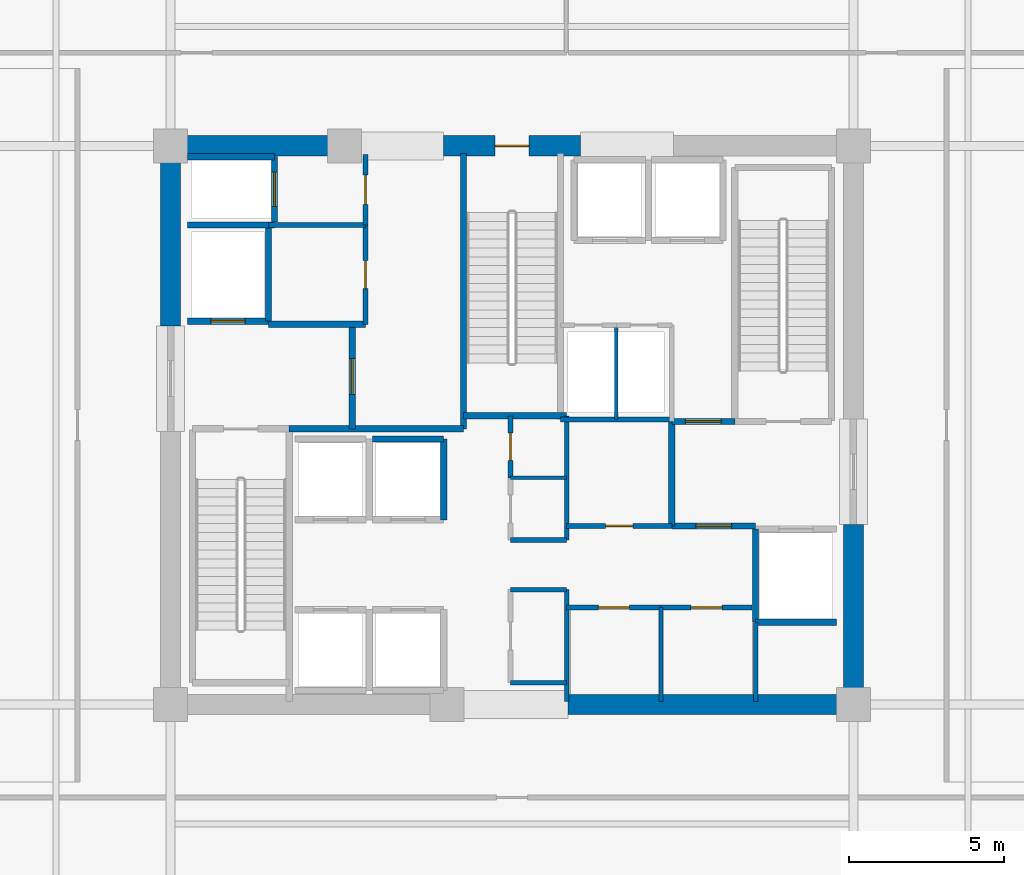
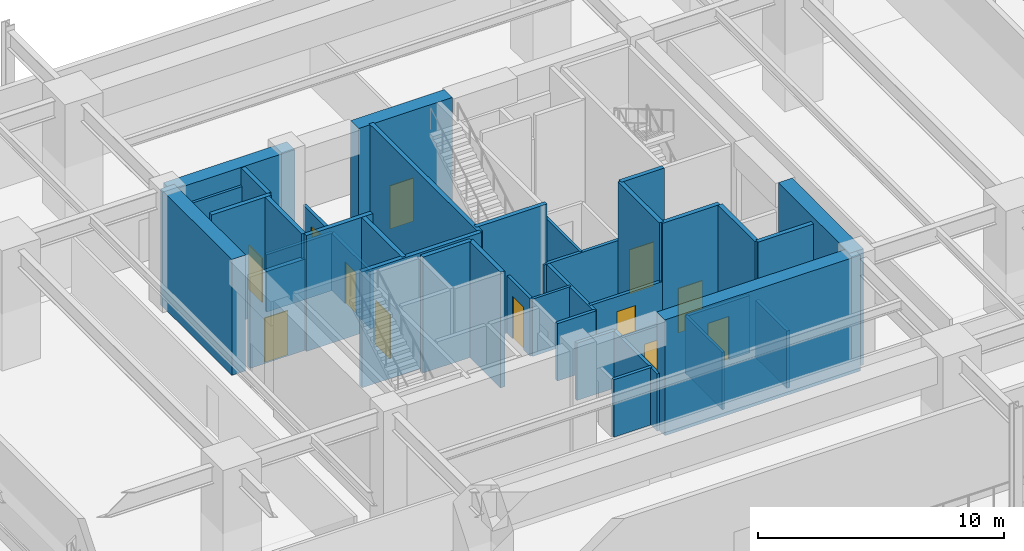
# One storey, part 7 of 14: 39 walls, 12 doors, 12 openings.
"""IFC4 building model written with IfcOpenShell, lengths in metres."""

from ifc_helpers import new_model, si_unit, direction, frame, frame_2d, origin, place, context, subcontext, project, spatial, rectangle, extrude, material, layer, layer_set, type_object, element, fill, save


model = new_model("IFC4")

# Units and contexts
model_context = context("Model", 3, precision=1e-05, world=origin(), true_north=direction((0.0, 1.0)))
body_context = subcontext(model_context, "Body", "Model", "MODEL_VIEW")
ifc_project = project(units=[si_unit("LENGTHUNIT", "METRE"), si_unit("AREAUNIT", "SQUARE_METRE"), si_unit("VOLUMEUNIT", "CUBIC_METRE"), si_unit("PLANEANGLEUNIT", "RADIAN"), si_unit("MASSUNIT", "GRAM", prefix="KILO")], contexts=[model_context])

# Site, building, storey
site_placement = place(None, origin())
site = spatial("IfcSite", under=ifc_project, at=site_placement, CompositionType="ELEMENT")
building_placement = place(site_placement, origin())
building = spatial("IfcBuilding", under=site, at=building_placement, Name="Kovane Verandah Tower", CompositionType="ELEMENT")
storey_placement = place(building_placement, frame((0.0, 0.0, 21.60009765625)))
storey = spatial("IfcBuildingStorey", under=building, at=storey_placement, Name="L04", CompositionType="ELEMENT", Elevation=21.60009765625)

# Walls
ifc_material_1 = material(Name="Fire-Rated Gypsum Stud Partition", Category="gypsum")
ifc_layer_1 = layer(ifc_material_1, 0.14990234375)
ifc_layer_set_1 = layer_set([ifc_layer_1], Name="Fire-Rated Gypsum Stud Partition")
wall_type_1 = type_object("IfcWallType", Name="WL-COR-150", PredefinedType="PARTITIONING", material=ifc_layer_set_1)
for number, where, z_axis, x_axis, name in (
    (1, (39.949951171875, 19.199951171875, 0.0), (0.0, 0.0, 1.0), (1.0, 0.0, 0.0), "L04 Central Core Strip South Wall"),
    (2, (39.949951171875, 22.199951171875, 0.0), (0.0, 0.0, 1.0), (1.0, 0.0, 0.0), "L04 Core Cross-Passage South Wall"),
    (3, (39.949951171875, 23.800048828125, 0.0), (0.0, 0.0, 1.0), (1.0, 0.0, 0.0), "L04 Core Cross-Passage North Wall"),
):
    element("IfcWall", number, at=place(storey_placement, frame(where, z_axis=z_axis, x_axis=x_axis)), inside=storey, type_object=wall_type_1, Name=name, PredefinedType="PARTITIONING", context=body_context, shape_type="SweptSolid", body=[
        extrude(rectangle(XDim=1.81005859375, YDim=0.14990234375, at=frame_2d((0.905029296875, 0.0))), origin(), (0.0, 0.0, 1.0), 2.849853515625),
    ])
wall_1_placement = place(storey_placement, frame((41.760009765625, 18.60009765625, 0.0), z_axis=(0.0, 0.0, 1.0), x_axis=(0.0, 1.0, 0.0)))
element("IfcWall", 4, at=wall_1_placement, inside=storey, type_object=wall_type_1, Name="L04 Central Core Strip Lower East Wall", PredefinedType="PARTITIONING", context=body_context, shape_type="SweptSolid", body=[
    extrude(rectangle(XDim=3.599853515625, YDim=0.14990234375, at=frame_2d((1.7998046875, 0.0))), origin(), (0.0, 0.0, 1.0), 2.849853515625),
])
wall_2_placement = place(storey_placement, frame((41.760009765625, 23.800048828125, 0.0), z_axis=(0.0, 0.0, 1.0), x_axis=(0.0, 1.0, 0.0)))
element("IfcWall", 5, at=wall_2_placement, inside=storey, type_object=wall_type_1, Name="L04 Central Core Strip Upper East Wall", PredefinedType="PARTITIONING", context=body_context, shape_type="SweptSolid", body=[
    extrude(rectangle(XDim=4.0, YDim=0.14990234375, at=frame_2d((2.0, 0.0))), origin(), (0.0, 0.0, 1.0), 2.849853515625),
])

# Wall, opening, door
wall_3_placement = place(storey_placement, frame((39.949951171875, 25.800048828125, 0.0), z_axis=(0.0, 0.0, 1.0), x_axis=(0.0, 1.0, 0.0)))
wall_3 = element("IfcWall", 6, at=wall_3_placement, inside=storey, type_object=wall_type_1, Name="L04 Electrical Riser Room Partition", PredefinedType="PARTITIONING", context=body_context, shape_type="SweptSolid", body=[
    extrude(rectangle(XDim=2.0, YDim=0.14990234375, at=frame_2d((1.0, 0.0))), origin(), (0.0, 0.0, 1.0), 2.849853515625),
])
opening_1_placement = place(wall_3_placement, frame((0.56005859375, 0.0, 0.0)))
opening_1 = element("IfcOpeningElement", 7, at=opening_1_placement, cuts=wall_3, Name="Opening DR-L04-024", PredefinedType="OPENING", context=body_context, shape_type="SweptSolid", body=[
    extrude(rectangle(XDim=0.8798828125, YDim=2.10009765625, at=frame_2d((0.43994140625, 1.050048828125))), frame((0.0, 0.074951171875, 0.0), z_axis=(0.0, -1.0, 0.0), x_axis=(1.0, 0.0, 0.0)), (0.0, 0.0, 1.0), 0.14990234375),
])
ifc_material_2 = material(Name="Fire-Rated Steel Riser Access Door", Category="steel")
door_type_1 = type_object("IfcDoorType", Name="DR-RISER-880", OperationType="SINGLE_SWING_LEFT", PredefinedType="DOOR", material=ifc_material_2)
door_1_placement = place(opening_1_placement, origin())
door_1 = element("IfcDoor", 8, at=door_1_placement, inside=storey, type_object=door_type_1, Name="L04 Electrical Riser Room Door", OperationType="SINGLE_SWING_LEFT", OverallHeight=2.10009765625, OverallWidth=0.8798828125, PredefinedType="DOOR", context=body_context, shape_type="SweptSolid", body=[
    extrude(rectangle(XDim=0.8798828125, YDim=2.10009765625, at=frame_2d((0.43994140625, 1.050048828125))), frame((0.0, 0.02490234375, 0.0), z_axis=(0.0, -1.0, 0.0), x_axis=(1.0, 0.0, 0.0)), (0.0, 0.0, 1.0), 0.050048828125),
])
fill(opening_1, door_1)

# Wall
wall_4_placement = place(storey_placement, frame((32.14990234375, 33.949951171875, 0.0), z_axis=(0.0, 0.0, 1.0), x_axis=(1.0, 0.0, 0.0)))
element("IfcWall", 9, at=wall_4_placement, inside=storey, type_object=wall_type_1, Name="L04 Goods Lift Lobby South Wall", PredefinedType="PARTITIONING", context=body_context, shape_type="SweptSolid", body=[
    extrude(rectangle(XDim=3.130126953125, YDim=0.14990234375, at=frame_2d((1.56494140625, 0.0))), origin(), (0.0, 0.0, 1.0), 2.849853515625),
])

# Wall, opening, door
wall_5_placement = place(storey_placement, frame((35.280029296875, 33.949951171875, 0.0), z_axis=(0.0, 0.0, 1.0), x_axis=(0.0, 1.0, 0.0)))
wall_5 = element("IfcWall", 10, at=wall_5_placement, inside=storey, type_object=wall_type_1, Name="L04 Goods Lift Lobby East Fire Partition", PredefinedType="PARTITIONING", context=body_context, shape_type="SweptSolid", body=[
    extrude(rectangle(XDim=2.27001953125, YDim=0.14990234375, at=frame_2d((1.135009765625, 0.0))), origin(), (0.0, 0.0, 1.0), 2.849853515625),
])
opening_2_placement = place(wall_5_placement, frame((0.659912109375, 0.0, 0.0)))
opening_2 = element("IfcOpeningElement", 11, at=opening_2_placement, cuts=wall_5, Name="Opening DR-L04-010", PredefinedType="OPENING", context=body_context, shape_type="SweptSolid", body=[
    extrude(rectangle(XDim=0.949951171875, YDim=2.14990234375, at=frame_2d((0.47509765625, 1.074951171875))), frame((0.0, 0.074951171875, 0.0), z_axis=(0.0, -1.0, 0.0), x_axis=(1.0, 0.0, 0.0)), (0.0, 0.0, 1.0), 0.14990234375),
])
ifc_material_3 = material(Name="Fire-Rated Steel Refuge and Lobby Door", Category="steel")
door_type_2 = type_object("IfcDoorType", Name="DR-FIRE-950", OperationType="SINGLE_SWING_LEFT", PredefinedType="DOOR", material=ifc_material_3)
door_2_placement = place(opening_2_placement, origin())
door_2 = element("IfcDoor", 12, at=door_2_placement, inside=storey, type_object=door_type_2, Name="L04 Goods Lift Lobby Fire Door", OperationType="SINGLE_SWING_RIGHT", OverallHeight=2.14990234375, OverallWidth=0.949951171875, PredefinedType="DOOR", context=body_context, shape_type="SweptSolid", body=[
    extrude(rectangle(XDim=0.949951171875, YDim=2.14990234375, at=frame_2d((0.47509765625, 1.074951171875))), frame((0.0, 0.02490234375, 0.0), z_axis=(0.0, -1.0, 0.0), x_axis=(1.0, 0.0, 0.0)), (0.0, 0.0, 1.0), 0.050048828125),
])
fill(opening_2, door_2)

wall_6_placement = place(storey_placement, frame((35.280029296875, 30.75, 0.0), z_axis=(0.0, 0.0, 1.0), x_axis=(0.0, 1.0, 0.0)))
wall_6 = element("IfcWall", 13, at=wall_6_placement, inside=storey, type_object=wall_type_1, Name="L04 Accessible Unisex Toilet Partition", PredefinedType="PARTITIONING", context=body_context, shape_type="SweptSolid", body=[
    extrude(rectangle(XDim=3.199951171875, YDim=0.14990234375, at=frame_2d((1.60009765625, 0.0))), origin(), (0.0, 0.0, 1.0), 2.849853515625),
])
opening_3_placement = place(wall_6_placement, frame((1.14990234375, 0.0, 0.0)))
opening_3 = element("IfcOpeningElement", 14, at=opening_3_placement, cuts=wall_6, Name="Opening DR-L04-025", PredefinedType="OPENING", context=body_context, shape_type="SweptSolid", body=[
    extrude(rectangle(XDim=0.89990234375, YDim=2.10009765625, at=frame_2d((0.449951171875, 1.050048828125))), frame((0.0, 0.074951171875, 0.0), z_axis=(0.0, -1.0, 0.0), x_axis=(1.0, 0.0, 0.0)), (0.0, 0.0, 1.0), 0.14990234375),
])
ifc_material_4 = material(Name="Moisture-Resistant Laminate Washroom Door", Category="wood")
door_type_3 = type_object("IfcDoorType", Name="DR-WC-900", OperationType="SINGLE_SWING_LEFT", PredefinedType="DOOR", material=ifc_material_4)
door_3_placement = place(opening_3_placement, origin())
door_3 = element("IfcDoor", 15, at=door_3_placement, inside=storey, type_object=door_type_3, Name="L04 Accessible Unisex Toilet Door", OperationType="SINGLE_SWING_LEFT", OverallHeight=2.10009765625, OverallWidth=0.89990234375, PredefinedType="DOOR", context=body_context, shape_type="SweptSolid", body=[
    extrude(rectangle(XDim=0.89990234375, YDim=2.10009765625, at=frame_2d((0.449951171875, 1.050048828125))), frame((0.0, 0.02490234375, 0.0), z_axis=(0.0, -1.0, 0.0), x_axis=(1.0, 0.0, 0.0)), (0.0, 0.0, 1.0), 0.050048828125),
])
fill(opening_3, door_3)

# Walls
wall_7_placement = place(storey_placement, frame((41.56005859375, 27.679931640625, 0.0), z_axis=(0.0, 0.0, 1.0), x_axis=(1.0, 0.0, 0.0)))
element("IfcWall", 16, at=wall_7_placement, inside=storey, type_object=wall_type_1, Name="L04 East Core Service Riser South Wall", PredefinedType="PARTITIONING", context=body_context, shape_type="SweptSolid", body=[
    extrude(rectangle(XDim=3.58984375, YDim=0.14990234375, at=frame_2d((1.794921875, 0.0))), origin(), (0.0, 0.0, 1.0), 2.849853515625),
])
wall_8_placement = place(storey_placement, frame((47.85009765625, 18.60009765625, 0.0), z_axis=(0.0, 0.0, 1.0), x_axis=(0.0, 1.0, 0.0)))
element("IfcWall", 17, at=wall_8_placement, inside=storey, type_object=wall_type_1, Name="L04 East Core Support East Wall", PredefinedType="PARTITIONING", context=body_context, shape_type="SweptSolid", body=[
    extrude(rectangle(XDim=2.539794921875, YDim=0.14990234375, at=frame_2d((1.27001953125, 0.0))), origin(), (0.0, 0.0, 1.0), 2.849853515625),
])

# Wall, opening, door
wall_9_placement = place(storey_placement, frame((41.760009765625, 21.6201171875, 0.0), z_axis=(0.0, 0.0, 1.0), x_axis=(1.0, 0.0, 0.0)))
wall_9 = element("IfcWall", 18, at=wall_9_placement, inside=storey, type_object=wall_type_1, Name="L04 AV Control Room Partition", PredefinedType="PARTITIONING", context=body_context, shape_type="SweptSolid", body=[
    extrude(rectangle(XDim=3.0400390625, YDim=0.14990234375, at=frame_2d((1.52001953125, 0.0))), origin(), (0.0, 0.0, 1.0), 2.849853515625),
])
opening_4_placement = place(wall_9_placement, frame((1.02001953125, 0.0, 0.0)))
opening_4 = element("IfcOpeningElement", 19, at=opening_4_placement, cuts=wall_9, Name="Opening DR-L04-017", PredefinedType="OPENING", context=body_context, shape_type="SweptSolid", body=[
    extrude(rectangle(XDim=1.0, YDim=2.14990234375, at=frame_2d((0.5, 1.074951171875))), frame((0.0, 0.074951171875, 0.0), z_axis=(0.0, -1.0, 0.0), x_axis=(1.0, 0.0, 0.0)), (0.0, 0.0, 1.0), 0.14990234375),
])
ifc_material_5 = material(Name="FSC Spotted-Gum Timber Fire-Rated Office Door", Category="wood")
door_type_4 = type_object("IfcDoorType", Name="DR-OFF-1000", OperationType="SINGLE_SWING_LEFT", PredefinedType="DOOR", material=ifc_material_5)
door_4_placement = place(opening_4_placement, origin())
door_4 = element("IfcDoor", 20, at=door_4_placement, inside=storey, type_object=door_type_4, Name="L04 AV Control Room Door", OperationType="SINGLE_SWING_RIGHT", OverallHeight=2.14990234375, OverallWidth=1.0, PredefinedType="DOOR", context=body_context, shape_type="SweptSolid", body=[
    extrude(rectangle(XDim=1.0, YDim=2.14990234375, at=frame_2d((0.5, 1.074951171875))), frame((0.0, 0.02490234375, 0.0), z_axis=(0.0, -1.0, 0.0), x_axis=(1.0, 0.0, 0.0)), (0.0, 0.0, 1.0), 0.050048828125),
])
fill(opening_4, door_4)

wall_10_placement = place(storey_placement, frame((44.800048828125, 21.6201171875, 0.0), z_axis=(0.0, 0.0, 1.0), x_axis=(1.0, 0.0, 0.0)))
wall_10 = element("IfcWall", 21, at=wall_10_placement, inside=storey, type_object=wall_type_1, Name="L04 East IT Server Room Partition", PredefinedType="PARTITIONING", context=body_context, shape_type="SweptSolid", body=[
    extrude(rectangle(XDim=2.93994140625, YDim=0.14990234375, at=frame_2d((1.469970703125, 0.0))), origin(), (0.0, 0.0, 1.0), 2.849853515625),
])
opening_5_placement = place(wall_10_placement, frame((0.969970703125, 0.0, 0.0)))
opening_5 = element("IfcOpeningElement", 22, at=opening_5_placement, cuts=wall_10, Name="Opening DR-L04-018", PredefinedType="OPENING", context=body_context, shape_type="SweptSolid", body=[
    extrude(rectangle(XDim=1.0, YDim=2.14990234375, at=frame_2d((0.5, 1.074951171875))), frame((0.0, 0.074951171875, 0.0), z_axis=(0.0, -1.0, 0.0), x_axis=(1.0, 0.0, 0.0)), (0.0, 0.0, 1.0), 0.14990234375),
])
door_5_placement = place(opening_5_placement, origin())
door_5 = element("IfcDoor", 23, at=door_5_placement, inside=storey, type_object=door_type_4, Name="L04 East IT Server Room Door", OperationType="SINGLE_SWING_LEFT", OverallHeight=2.14990234375, OverallWidth=1.0, PredefinedType="DOOR", context=body_context, shape_type="SweptSolid", body=[
    extrude(rectangle(XDim=1.0, YDim=2.14990234375, at=frame_2d((0.5, 1.074951171875))), frame((0.0, 0.02490234375, 0.0), z_axis=(0.0, -1.0, 0.0), x_axis=(1.0, 0.0, 0.0)), (0.0, 0.0, 1.0), 0.050048828125),
])
fill(opening_5, door_5)

wall_11_placement = place(storey_placement, frame((41.760009765625, 24.25, 0.0), z_axis=(0.0, 0.0, 1.0), x_axis=(1.0, 0.0, 0.0)))
wall_11 = element("IfcWall", 24, at=wall_11_placement, inside=storey, type_object=wall_type_1, Name="L04 Cleaner Store Partition", PredefinedType="PARTITIONING", context=body_context, shape_type="SweptSolid", body=[
    extrude(rectangle(XDim=3.389892578125, YDim=0.14990234375, at=frame_2d((1.69482421875, 0.0))), origin(), (0.0, 0.0, 1.0), 2.849853515625),
])
opening_6_placement = place(wall_11_placement, frame((1.2548828125, 0.0, 0.0)))
opening_6 = element("IfcOpeningElement", 25, at=opening_6_placement, cuts=wall_11, Name="Opening DR-L04-019", PredefinedType="OPENING", context=body_context, shape_type="SweptSolid", body=[
    extrude(rectangle(XDim=0.8798828125, YDim=2.10009765625, at=frame_2d((0.43994140625, 1.050048828125))), frame((0.0, 0.074951171875, 0.0), z_axis=(0.0, -1.0, 0.0), x_axis=(1.0, 0.0, 0.0)), (0.0, 0.0, 1.0), 0.14990234375),
])
door_6_placement = place(opening_6_placement, origin())
door_6 = element("IfcDoor", 26, at=door_6_placement, inside=storey, type_object=door_type_1, Name="L04 Cleaner Store Door", OperationType="SINGLE_SWING_RIGHT", OverallHeight=2.10009765625, OverallWidth=0.8798828125, PredefinedType="DOOR", context=body_context, shape_type="SweptSolid", body=[
    extrude(rectangle(XDim=0.8798828125, YDim=2.10009765625, at=frame_2d((0.43994140625, 1.050048828125))), frame((0.0, 0.02490234375, 0.0), z_axis=(0.0, -1.0, 0.0), x_axis=(1.0, 0.0, 0.0)), (0.0, 0.0, 1.0), 0.050048828125),
])
fill(opening_6, door_6)

# Walls
ifc_material_6 = material(Name="Concrete C80/95", Category="concrete")
ifc_layer_2 = layer(ifc_material_6, 0.64990234375)
ifc_layer_set_2 = layer_set([ifc_layer_2], Name="Concrete C80/95")
wall_type_2 = type_object("IfcWallType", Name="WL-CORE-650", PredefinedType="SHEAR", material=ifc_layer_set_2)
wall_12_placement = place(storey_placement, frame((41.800048828125, 18.5, 0.0), z_axis=(0.0, 0.0, 1.0), x_axis=(1.0, 0.0, 0.0)))
element("IfcWall", 27, at=wall_12_placement, inside=storey, type_object=wall_type_2, Name="L04 Core Shear Wall CS-2", PredefinedType="SHEAR", context=body_context, shape_type="SweptSolid", body=[
    extrude(rectangle(XDim=9.199951171875, YDim=0.64990234375, at=frame_2d((4.60009765625, 0.0))), origin(), (0.0, 0.0, 1.0), 5.760009765625),
])
wall_13_placement = place(storey_placement, frame((29.0, 36.5, 0.0), z_axis=(0.0, 0.0, 1.0), x_axis=(1.0, 0.0, 0.0)))
element("IfcWall", 28, at=wall_13_placement, inside=storey, type_object=wall_type_2, Name="L04 Core Shear Wall CN-1", PredefinedType="SHEAR", context=body_context, shape_type="SweptSolid", body=[
    extrude(rectangle(XDim=5.800048828125, YDim=0.64990234375, at=frame_2d((2.89990234375, 0.0))), origin(), (0.0, 0.0, 1.0), 5.760009765625),
])

# Wall, opening, door
wall_14_placement = place(storey_placement, frame((37.800048828125, 36.5, 0.0), z_axis=(0.0, 0.0, 1.0), x_axis=(1.0, 0.0, 0.0)))
wall_14 = element("IfcWall", 29, at=wall_14_placement, inside=storey, type_object=wall_type_2, Name="L04 Core Shear Wall CN-2", PredefinedType="SHEAR", context=body_context, shape_type="SweptSolid", body=[
    extrude(rectangle(XDim=4.39990234375, YDim=0.64990234375, at=frame_2d((2.199951171875, 0.0))), origin(), (0.0, 0.0, 1.0), 5.760009765625),
])
opening_7_placement = place(wall_14_placement, frame((1.64990234375, 0.0, 0.0)))
opening_7 = element("IfcOpeningElement", 30, at=opening_7_placement, cuts=wall_14, Name="Opening DR-L04-013", PredefinedType="OPENING", context=body_context, shape_type="SweptSolid", body=[
    extrude(rectangle(XDim=1.10009765625, YDim=2.14990234375, at=frame_2d((0.550048828125, 1.074951171875))), frame((0.0, 0.324951171875, 0.0), z_axis=(0.0, -1.0, 0.0), x_axis=(1.0, 0.0, 0.0)), (0.0, 0.0, 1.0), 0.64990234375),
])
ifc_material_7 = material(Name="Fire-Rated Steel Exit Door", Category="steel")
door_type_5 = type_object("IfcDoorType", Name="DR-STAIR-1100", OperationType="SINGLE_SWING_LEFT", PredefinedType="DOOR", material=ifc_material_7)
door_7_placement = place(opening_7_placement, origin())
door_7 = element("IfcDoor", 31, at=door_7_placement, inside=storey, type_object=door_type_5, Name="L04 ST-03 Fire Exit Stair Door", OperationType="SINGLE_SWING_RIGHT", OverallHeight=2.14990234375, OverallWidth=1.10009765625, PredefinedType="DOOR", context=body_context, shape_type="SweptSolid", body=[
    extrude(rectangle(XDim=1.10009765625, YDim=2.14990234375, at=frame_2d((0.550048828125, 1.074951171875))), frame((0.0, 0.02490234375, 0.0), z_axis=(0.0, -1.0, 0.0), x_axis=(1.0, 0.0, 0.0)), (0.0, 0.0, 1.0), 0.050048828125),
])
fill(opening_7, door_7)

# Walls
for number, where, z_axis, x_axis, name in (
    (32, (29.0, 30.699951171875, 0.0), (0.0, 0.0, 1.0), (0.0, 1.0, 0.0), "L04 Core Shear Wall CW-2"),
    (33, (51.0, 18.5, 0.0), (0.0, 0.0, 1.0), (0.0, 1.0, 0.0), "L04 Core Shear Wall CE-1"),
):
    element("IfcWall", number, at=place(storey_placement, frame(where, z_axis=z_axis, x_axis=x_axis)), inside=storey, type_object=wall_type_2, Name=name, PredefinedType="SHEAR", context=body_context, shape_type="SweptSolid", body=[
        extrude(rectangle(XDim=5.800048828125, YDim=0.64990234375, at=frame_2d((2.89990234375, 0.0))), origin(), (0.0, 0.0, 1.0), 5.760009765625),
    ])

# Wall, opening, door
ifc_material_8 = material(Name="Concrete C45/55 Fire Wall", Category="concrete")
ifc_layer_3 = layer(ifc_material_8, 0.199951171875)
ifc_layer_set_3 = layer_set([ifc_layer_3], Name="Concrete C45/55 Fire Wall")
wall_type_3 = type_object("IfcWallType", Name="WL-FFL-200", PredefinedType="PARTITIONING", material=ifc_layer_set_3)
wall_15_placement = place(storey_placement, frame((34.85009765625, 27.3798828125, 0.0), z_axis=(0.0, 0.0, 1.0), x_axis=(0.0, 1.0, 0.0)))
wall_15 = element("IfcWall", 34, at=wall_15_placement, inside=storey, type_object=wall_type_3, Name="W-L04-FFLW-E", PredefinedType="PARTITIONING", context=body_context, shape_type="SweptSolid", body=[
    extrude(rectangle(XDim=3.3701171875, YDim=0.199951171875, at=frame_2d((1.68505859375, 0.0))), origin(), (0.0, 0.0, 1.0), 5.760009765625),
])
opening_8_placement = place(wall_15_placement, frame((1.110107421875, 0.0, 0.0)))
opening_8 = element("IfcOpeningElement", 35, at=opening_8_placement, cuts=wall_15, Name="Opening DR-L04-004", PredefinedType="OPENING", context=body_context, shape_type="SweptSolid", body=[
    extrude(rectangle(XDim=1.14990234375, YDim=2.199951171875, at=frame_2d((0.574951171875, 1.10009765625))), frame((0.0, 0.10009765625, 0.0), z_axis=(0.0, -1.0, 0.0), x_axis=(1.0, 0.0, 0.0)), (0.0, 0.0, 1.0), 0.199951171875),
])
ifc_material_9 = material(Name="Smoke-Sealed Firefighting Lobby Door", Category="steel")
door_type_6 = type_object("IfcDoorType", Name="DR-FFL-1150", OperationType="SINGLE_SWING_LEFT", PredefinedType="DOOR", material=ifc_material_9)
door_8_placement = place(opening_8_placement, origin())
door_8 = element("IfcDoor", 36, at=door_8_placement, inside=storey, type_object=door_type_6, Name="L04 West Firefighting Lobby Inner Door", OperationType="SINGLE_SWING_LEFT", OverallHeight=2.199951171875, OverallWidth=1.14990234375, PredefinedType="DOOR", context=body_context, shape_type="SweptSolid", body=[
    extrude(rectangle(XDim=1.14990234375, YDim=2.199951171875, at=frame_2d((0.574951171875, 1.10009765625))), frame((0.0, 0.02490234375, 0.0), z_axis=(0.0, -1.0, 0.0), x_axis=(1.0, 0.0, 0.0)), (0.0, 0.0, 1.0), 0.050048828125),
])
fill(opening_8, door_8)

# Walls
wall_16_placement = place(storey_placement, frame((32.820068359375, 27.3798828125, 0.0), z_axis=(0.0, 0.0, 1.0), x_axis=(1.0, 0.0, 0.0)))
element("IfcWall", 37, at=wall_16_placement, inside=storey, type_object=wall_type_3, Name="L04 West Firefighting Lobby South Fire Wall", PredefinedType="PARTITIONING", context=body_context, shape_type="SweptSolid", body=[
    extrude(rectangle(XDim=5.619873046875, YDim=0.199951171875, at=frame_2d((2.81005859375, 0.0))), origin(), (0.0, 0.0, 1.0), 5.760009765625),
])
wall_17_placement = place(storey_placement, frame((32.14990234375, 30.75, 0.0), z_axis=(0.0, 0.0, 1.0), x_axis=(1.0, 0.0, 0.0)))
element("IfcWall", 38, at=wall_17_placement, inside=storey, type_object=wall_type_3, Name="L04 West Firefighting Lobby North Fire Wall", PredefinedType="PARTITIONING", context=body_context, shape_type="SweptSolid", body=[
    extrude(rectangle(XDim=3.130126953125, YDim=0.199951171875, at=frame_2d((1.56494140625, 0.0))), origin(), (0.0, 0.0, 1.0), 5.760009765625),
])
wall_18_placement = place(storey_placement, frame((45.14990234375, 24.25, 0.0), z_axis=(0.0, 0.0, 1.0), x_axis=(0.0, 1.0, 0.0)))
element("IfcWall", 39, at=wall_18_placement, inside=storey, type_object=wall_type_3, Name="L04 East Firefighting Lobby West Fire Wall", PredefinedType="PARTITIONING", context=body_context, shape_type="SweptSolid", body=[
    extrude(rectangle(XDim=3.3701171875, YDim=0.199951171875, at=frame_2d((1.68505859375, 0.0))), origin(), (0.0, 0.0, 1.0), 5.760009765625),
])

# Wall, opening, door
wall_19_placement = place(storey_placement, frame((45.14990234375, 24.25, 0.0), z_axis=(0.0, 0.0, 1.0), x_axis=(1.0, 0.0, 0.0)))
wall_19 = element("IfcWall", 40, at=wall_19_placement, inside=storey, type_object=wall_type_3, Name="W-L04-FFLE-S", PredefinedType="PARTITIONING", context=body_context, shape_type="SweptSolid", body=[
    extrude(rectangle(XDim=2.7001953125, YDim=0.199951171875, at=frame_2d((1.35009765625, 0.0))), origin(), (0.0, 0.0, 1.0), 5.760009765625),
])
opening_9_placement = place(wall_19_placement, frame((0.77490234375, 0.0, 0.0)))
opening_9 = element("IfcOpeningElement", 41, at=opening_9_placement, cuts=wall_19, Name="Opening DR-L04-001", PredefinedType="OPENING", context=body_context, shape_type="SweptSolid", body=[
    extrude(rectangle(XDim=1.14990234375, YDim=2.199951171875, at=frame_2d((0.574951171875, 1.10009765625))), frame((0.0, 0.10009765625, 0.0), z_axis=(0.0, -1.0, 0.0), x_axis=(1.0, 0.0, 0.0)), (0.0, 0.0, 1.0), 0.199951171875),
])
door_9_placement = place(opening_9_placement, origin())
door_9 = element("IfcDoor", 42, at=door_9_placement, inside=storey, type_object=door_type_6, Name="L04 East Firefighting Lobby Inner Door", OperationType="SINGLE_SWING_RIGHT", OverallHeight=2.199951171875, OverallWidth=1.14990234375, PredefinedType="DOOR", context=body_context, shape_type="SweptSolid", body=[
    extrude(rectangle(XDim=1.14990234375, YDim=2.199951171875, at=frame_2d((0.574951171875, 1.10009765625))), frame((0.0, 0.02490234375, 0.0), z_axis=(0.0, -1.0, 0.0), x_axis=(1.0, 0.0, 0.0)), (0.0, 0.0, 1.0), 0.050048828125),
])
fill(opening_9, door_9)

wall_20_placement = place(storey_placement, frame((45.14990234375, 27.6201171875, 0.0), z_axis=(0.0, 0.0, 1.0), x_axis=(1.0, 0.0, 0.0)))
wall_20 = element("IfcWall", 43, at=wall_20_placement, inside=storey, type_object=wall_type_3, Name="W-L04-FFLE-N", PredefinedType="PARTITIONING", context=body_context, shape_type="SweptSolid", body=[
    extrude(rectangle(XDim=2.030029296875, YDim=0.199951171875, at=frame_2d((1.01513671875, 0.0))), origin(), (0.0, 0.0, 1.0), 5.760009765625),
])
opening_10_placement = place(wall_20_placement, frame((0.43994140625, 0.0, 0.0)))
opening_10 = element("IfcOpeningElement", 44, at=opening_10_placement, cuts=wall_20, Name="Opening DR-L04-002", PredefinedType="OPENING", context=body_context, shape_type="SweptSolid", body=[
    extrude(rectangle(XDim=1.14990234375, YDim=2.199951171875, at=frame_2d((0.574951171875, 1.10009765625))), frame((0.0, 0.10009765625, 0.0), z_axis=(0.0, -1.0, 0.0), x_axis=(1.0, 0.0, 0.0)), (0.0, 0.0, 1.0), 0.199951171875),
])
door_10_placement = place(opening_10_placement, origin())
door_10 = element("IfcDoor", 45, at=door_10_placement, inside=storey, type_object=door_type_6, Name="L04 East Firefighting Lobby Shuttle Link Door", OperationType="SINGLE_SWING_LEFT", OverallHeight=2.199951171875, OverallWidth=1.14990234375, PredefinedType="DOOR", context=body_context, shape_type="SweptSolid", body=[
    extrude(rectangle(XDim=1.14990234375, YDim=2.199951171875, at=frame_2d((0.574951171875, 1.10009765625))), frame((0.0, 0.02490234375, 0.0), z_axis=(0.0, -1.0, 0.0), x_axis=(1.0, 0.0, 0.0)), (0.0, 0.0, 1.0), 0.050048828125),
])
fill(opening_10, door_10)

ifc_material_10 = material(Name="Concrete C45/55 Lift Shaft Wall", Category="concrete")
ifc_layer_4 = layer(ifc_material_10, 0.199951171875)
ifc_layer_set_4 = layer_set([ifc_layer_4], Name="Concrete C45/55 Lift Shaft Wall")
wall_type_4 = type_object("IfcWallType", Name="WL-LIFT-200", PredefinedType="SOLIDWALL", material=ifc_layer_set_4)
wall_21_placement = place(storey_placement, frame((29.550048828125, 30.85009765625, 0.0), z_axis=(0.0, 0.0, 1.0), x_axis=(1.0, 0.0, 0.0)))
wall_21 = element("IfcWall", 46, at=wall_21_placement, inside=storey, type_object=wall_type_4, Name="L04 Lift FL-01 S Shaft Wall", PredefinedType="SOLIDWALL", context=body_context, shape_type="SweptSolid", body=[
    extrude(rectangle(XDim=2.599853515625, YDim=0.199951171875, at=frame_2d((1.2998046875, 0.0))), origin(), (0.0, 0.0, 1.0), 4.539794921875),
])
opening_11_placement = place(wall_21_placement, frame((0.75, 0.0, 0.0)))
opening_11 = element("IfcOpeningElement", 47, at=opening_11_placement, cuts=wall_21, Name="Opening LD-L04-001", PredefinedType="OPENING", context=body_context, shape_type="SweptSolid", body=[
    extrude(rectangle(XDim=1.10009765625, YDim=2.199951171875, at=frame_2d((0.550048828125, 1.10009765625))), frame((0.0, 0.10009765625, 0.0), z_axis=(0.0, -1.0, 0.0), x_axis=(1.0, 0.0, 0.0)), (0.0, 0.0, 1.0), 0.199951171875),
])
ifc_material_11 = material(Name="Brushed Stainless Steel Sliding Lift Landing Door", Category="steel")
door_type_7 = type_object("IfcDoorType", Name="DR-LIFT-1100", OperationType="SLIDING_TO_RIGHT", PredefinedType="DOOR", material=ifc_material_11)
door_11_placement = place(opening_11_placement, origin())
door_11 = element("IfcDoor", 48, at=door_11_placement, inside=storey, type_object=door_type_7, Name="L04 Lift FL-01 Sliding Landing Door", OperationType="SLIDING_TO_RIGHT", OverallHeight=2.199951171875, OverallWidth=1.10009765625, PredefinedType="DOOR", context=body_context, shape_type="SweptSolid", body=[
    extrude(rectangle(XDim=1.10009765625, YDim=2.199951171875, at=frame_2d((0.550048828125, 1.10009765625))), frame((0.0, 0.02490234375, 0.0), z_axis=(0.0, -1.0, 0.0), x_axis=(1.0, 0.0, 0.0)), (0.0, 0.0, 1.0), 0.050048828125),
])
fill(opening_11, door_11)

# Walls
wall_22_placement = place(storey_placement, frame((29.550048828125, 33.949951171875, 0.0), z_axis=(0.0, 0.0, 1.0), x_axis=(1.0, 0.0, 0.0)))
element("IfcWall", 49, at=wall_22_placement, inside=storey, type_object=wall_type_4, Name="L04 Lift FL-01 and GL-01 Shared Shaft Wall", PredefinedType="SOLIDWALL", context=body_context, shape_type="SweptSolid", body=[
    extrude(rectangle(XDim=2.800048828125, YDim=0.199951171875, at=frame_2d((1.39990234375, 0.0))), origin(), (0.0, 0.0, 1.0), 5.760009765625),
])
wall_23_placement = place(storey_placement, frame((32.14990234375, 30.85009765625, 0.0), z_axis=(0.0, 0.0, 1.0), x_axis=(0.0, 1.0, 0.0)))
element("IfcWall", 50, at=wall_23_placement, inside=storey, type_object=wall_type_4, Name="L04 Lift FL-01 E Shaft Wall", PredefinedType="SOLIDWALL", context=body_context, shape_type="SweptSolid", body=[
    extrude(rectangle(XDim=3.0, YDim=0.199951171875, at=frame_2d((1.5, 0.0))), origin(), (0.0, 0.0, 1.0), 5.760009765625),
])
wall_24_placement = place(storey_placement, frame((47.85009765625, 21.14990234375, 0.0), z_axis=(0.0, 0.0, 1.0), x_axis=(1.0, 0.0, 0.0)))
element("IfcWall", 51, at=wall_24_placement, inside=storey, type_object=wall_type_4, Name="L04 Lift FL-02 S Shaft Wall", PredefinedType="SOLIDWALL", context=body_context, shape_type="SweptSolid", body=[
    extrude(rectangle(XDim=2.599853515625, YDim=0.199951171875, at=frame_2d((1.2998046875, 0.0))), origin(), (0.0, 0.0, 1.0), 5.760009765625),
])
wall_25_placement = place(storey_placement, frame((47.85009765625, 24.14990234375, 0.0), z_axis=(0.0, 0.0, 1.0), x_axis=(0.0, -1.0, 0.0)))
element("IfcWall", 52, at=wall_25_placement, inside=storey, type_object=wall_type_4, Name="L04 Lift FL-02 W Shaft Wall", PredefinedType="SOLIDWALL", context=body_context, shape_type="SweptSolid", body=[
    extrude(rectangle(XDim=3.0, YDim=0.199951171875, at=frame_2d((1.5, 0.0))), origin(), (0.0, 0.0, 1.0), 5.760009765625),
])
wall_26_placement = place(storey_placement, frame((32.35009765625, 36.14990234375, 0.0), z_axis=(0.0, 0.0, 1.0), x_axis=(-1.0, 0.0, 0.0)))
element("IfcWall", 53, at=wall_26_placement, inside=storey, type_object=wall_type_4, Name="L04 Lift GL-01 N Shaft Wall", PredefinedType="SOLIDWALL", context=body_context, shape_type="SweptSolid", body=[
    extrude(rectangle(XDim=2.800048828125, YDim=0.199951171875, at=frame_2d((1.39990234375, 0.0))), origin(), (0.0, 0.0, 1.0), 4.888916015625),
])

# Wall, opening, door
wall_27_placement = place(storey_placement, frame((32.35009765625, 34.050048828125, 0.0), z_axis=(0.0, 0.0, 1.0), x_axis=(0.0, 1.0, 0.0)))
wall_27 = element("IfcWall", 54, at=wall_27_placement, inside=storey, type_object=wall_type_4, Name="L04 Lift GL-01 E Shaft Wall", PredefinedType="SOLIDWALL", context=body_context, shape_type="SweptSolid", body=[
    extrude(rectangle(XDim=2.099853515625, YDim=0.199951171875, at=frame_2d((1.0498046875, 0.0))), origin(), (0.0, 0.0, 1.0), 5.760009765625),
])
opening_12_placement = place(wall_27_placement, frame((0.5, 0.0, 0.0)))
opening_12 = element("IfcOpeningElement", 55, at=opening_12_placement, cuts=wall_27, Name="Opening LD-L04-003", PredefinedType="OPENING", context=body_context, shape_type="SweptSolid", body=[
    extrude(rectangle(XDim=1.10009765625, YDim=2.199951171875, at=frame_2d((0.550048828125, 1.10009765625))), frame((0.0, 0.10009765625, 0.0), z_axis=(0.0, -1.0, 0.0), x_axis=(1.0, 0.0, 0.0)), (0.0, 0.0, 1.0), 0.199951171875),
])
door_12_placement = place(opening_12_placement, origin())
door_12 = element("IfcDoor", 56, at=door_12_placement, inside=storey, type_object=door_type_7, Name="L04 Lift GL-01 Sliding Landing Door", OperationType="SLIDING_TO_RIGHT", OverallHeight=2.199951171875, OverallWidth=1.10009765625, PredefinedType="DOOR", context=body_context, shape_type="SweptSolid", body=[
    extrude(rectangle(XDim=1.10009765625, YDim=2.199951171875, at=frame_2d((0.550048828125, 1.10009765625))), frame((0.0, 0.02490234375, 0.0), z_axis=(0.0, -1.0, 0.0), x_axis=(1.0, 0.0, 0.0)), (0.0, 0.0, 1.0), 0.050048828125),
])
fill(opening_12, door_12)

# Walls
wall_28_placement = place(storey_placement, frame((37.800048828125, 27.050048828125, 0.0), z_axis=(0.0, 0.0, 1.0), x_axis=(-1.0, 0.0, 0.0)))
element("IfcWall", 57, at=wall_28_placement, inside=storey, type_object=wall_type_4, Name="L04 Lift PL-L4 N Shaft Wall", PredefinedType="SOLIDWALL", context=body_context, shape_type="SweptSolid", body=[
    extrude(rectangle(XDim=2.300048828125, YDim=0.199951171875, at=frame_2d((1.14990234375, 0.0))), origin(), (0.0, 0.0, 1.0), 5.760009765625),
])
wall_29_placement = place(storey_placement, frame((37.800048828125, 24.449951171875, 0.0), z_axis=(0.0, 0.0, 1.0), x_axis=(0.0, 1.0, 0.0)))
element("IfcWall", 58, at=wall_29_placement, inside=storey, type_object=wall_type_4, Name="L04 Lift PL-L4 E Shaft Wall", PredefinedType="SOLIDWALL", context=body_context, shape_type="SweptSolid", body=[
    extrude(rectangle(XDim=2.60009765625, YDim=0.199951171875, at=frame_2d((1.300048828125, 0.0))), origin(), (0.0, 0.0, 1.0), 5.760009765625),
])
ifc_material_12 = material(Name="Acoustic Fire-Rated Gypsum Partition", Category="gypsum")
ifc_layer_5 = layer(ifc_material_12, 0.1201171875)
ifc_layer_set_5 = layer_set([ifc_layer_5], Name="Acoustic Fire-Rated Gypsum Partition")
wall_type_5 = type_object("IfcWallType", Name="WL-PART-120", PredefinedType="PARTITIONING", material=ifc_layer_set_5)
wall_30_placement = place(storey_placement, frame((39.949951171875, 25.800048828125, 0.0), z_axis=(0.0, 0.0, 1.0), x_axis=(1.0, 0.0, 0.0)))
element("IfcWall", 59, at=wall_30_placement, inside=storey, type_object=wall_type_5, Name="L04 Central Core Strip Upper Dividing Partition", PredefinedType="PARTITIONING", context=body_context, shape_type="SweptSolid", body=[
    extrude(rectangle(XDim=1.81005859375, YDim=0.1201171875, at=frame_2d((0.905029296875, 0.0))), origin(), (0.0, 0.0, 1.0), 2.849853515625),
])
wall_31_placement = place(storey_placement, frame((44.800048828125, 18.60009765625, 0.0), z_axis=(0.0, 0.0, 1.0), x_axis=(0.0, 1.0, 0.0)))
element("IfcWall", 60, at=wall_31_placement, inside=storey, type_object=wall_type_5, Name="L04 East Core Support Dividing Partition", PredefinedType="PARTITIONING", context=body_context, shape_type="SweptSolid", body=[
    extrude(rectangle(XDim=3.02001953125, YDim=0.1201171875, at=frame_2d((1.510009765625, 0.0))), origin(), (0.0, 0.0, 1.0), 2.849853515625),
])
wall_32_placement = place(storey_placement, frame((43.360107421875, 27.679931640625, 0.0), z_axis=(0.0, 0.0, 1.0), x_axis=(0.0, 1.0, 0.0)))
element("IfcWall", 61, at=wall_32_placement, inside=storey, type_object=wall_type_5, Name="L04 Service Riser Dividing Partition", PredefinedType="PARTITIONING", context=body_context, shape_type="SweptSolid", body=[
    extrude(rectangle(XDim=3.0400390625, YDim=0.1201171875, at=frame_2d((1.52001953125, 0.0))), origin(), (0.0, 0.0, 1.0), 2.849853515625),
])
ifc_material_13 = material(Name="Concrete C45/55", Category="concrete")
ifc_layer_6 = layer(ifc_material_13, 0.199951171875)
ifc_layer_set_6 = layer_set([ifc_layer_6], Name="Concrete C45/55")
wall_type_6 = type_object("IfcWallType", Name="WL-SHAFT-200", PredefinedType="SOLIDWALL", material=ifc_layer_set_6)
wall_33_placement = place(storey_placement, frame((38.43994140625, 27.3798828125, 0.0), z_axis=(0.0, 0.0, 1.0), x_axis=(0.0, 1.0, 0.0)))
element("IfcWall", 62, at=wall_33_placement, inside=storey, type_object=wall_type_6, Name="W-L04-ST03-W", PredefinedType="SOLIDWALL", context=body_context, shape_type="SweptSolid", body=[
    extrude(rectangle(XDim=8.8701171875, YDim=0.199951171875, at=frame_2d((4.43505859375, 0.0))), origin(), (0.0, 0.0, 1.0), 5.760009765625),
])
wall_34_placement = place(storey_placement, frame((38.43994140625, 27.800048828125, 0.0), z_axis=(0.0, 0.0, 1.0), x_axis=(1.0, 0.0, 0.0)))
element("IfcWall", 63, at=wall_34_placement, inside=storey, type_object=wall_type_6, Name="W-L04-ST03-S", PredefinedType="SOLIDWALL", context=body_context, shape_type="SweptSolid", body=[
    extrude(rectangle(XDim=3.320068359375, YDim=0.199951171875, at=frame_2d((1.66015625, 0.0))), origin(), (0.0, 0.0, 1.0), 5.760009765625),
])

save(model, "model.ifc")
